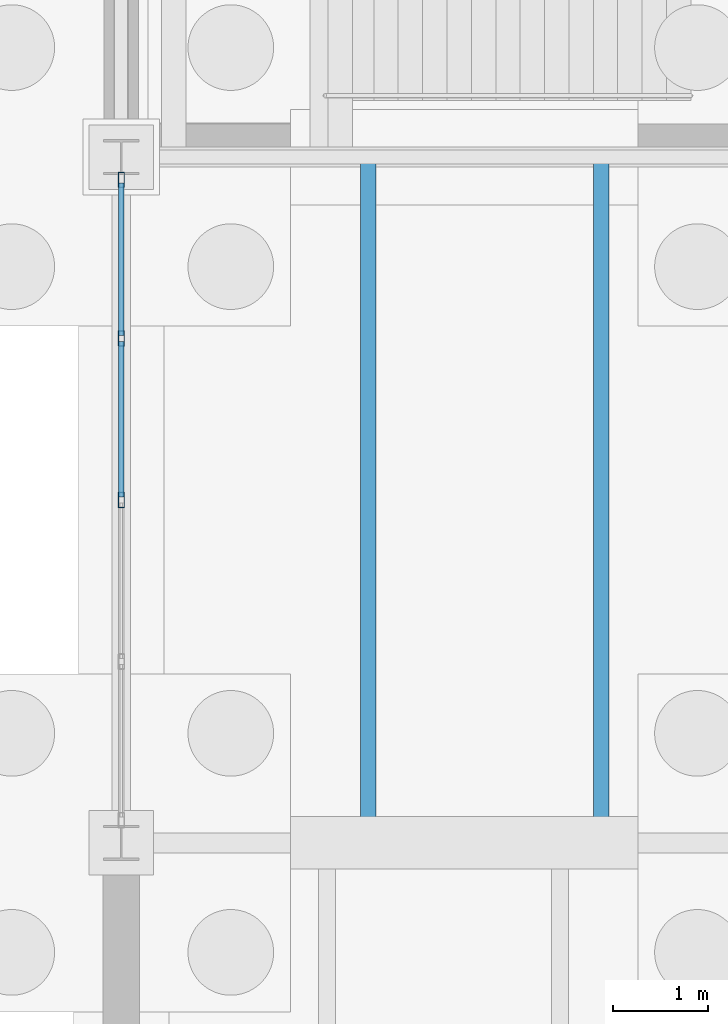
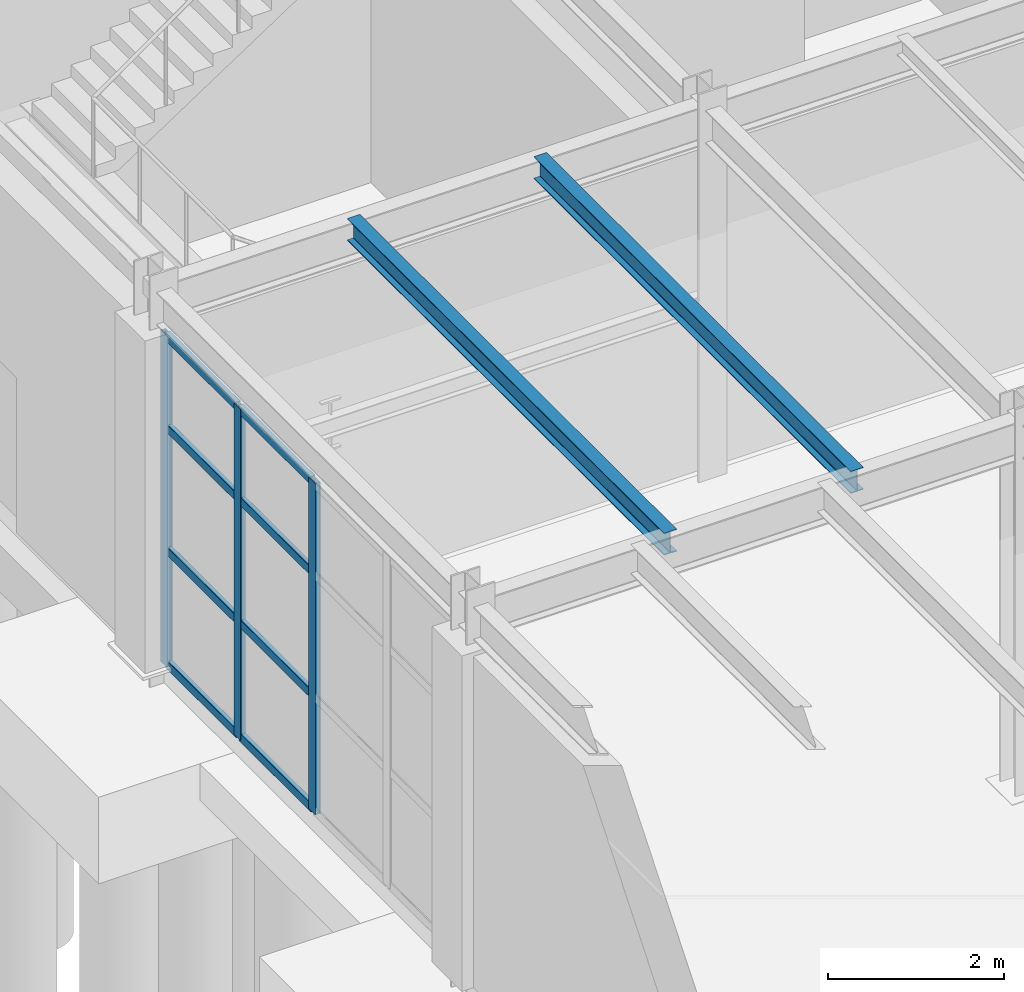
# One storey, part 59 of 293: 11 members, 2 beams, 1 element without a shape of its own.
"""IFC4 building model written with IfcOpenShell, lengths in metres."""

from ifc_helpers import new_model, si_unit, direction, frame, origin, origin_2d, place, context, subcontext, project, spatial, hollow_rectangle, i_section, extrude, material, layer, layer_set, material_profile, profile_set, type_object, element, aggregate, save


model = new_model("IFC4")

# Units and contexts
model_context = context("Model", 3, precision=1e-05, world=origin(), true_north=direction((0.0, 1.0)))
body_context = subcontext(model_context, "Body", "Model", "MODEL_VIEW")
ifc_project = project(units=[si_unit("LENGTHUNIT", "METRE"), si_unit("AREAUNIT", "SQUARE_METRE"), si_unit("VOLUMEUNIT", "CUBIC_METRE"), si_unit("PLANEANGLEUNIT", "RADIAN"), si_unit("MASSUNIT", "GRAM", prefix="KILO")], contexts=[model_context])

# Site, building, storey
site_placement = place(None, origin())
site = spatial("IfcSite", under=ifc_project, at=site_placement, CompositionType="ELEMENT")
building_placement = place(site_placement, origin())
building = spatial("IfcBuilding", under=site, at=building_placement, Name="Kemerveld Promenade Tramway Depot", CompositionType="ELEMENT")
storey_placement = place(building_placement, origin())
storey = spatial("IfcBuildingStorey", under=building, at=storey_placement, Name="L00", CompositionType="ELEMENT", Elevation=0.0)

# Beams
ifc_material_1 = material(Name="Steel S355", Category="steel")
ifc_material_profile_1 = material_profile(ifc_material_1, i_section(OverallWidth=0.165771484375, OverallDepth=0.306640625, WebThickness=0.006591796875, FlangeThickness=0.01171875, FilletRadius=0.0087890625, at=origin_2d()), Name="305x165x46 UB")
ifc_profile_set_1 = profile_set([ifc_material_profile_1], Name="Steel S355")
beam_type = type_object("IfcBeamType", Name="BM-J01", PredefinedType="JOIST", material=ifc_profile_set_1)
for number, where, z_axis, x_axis, name in (
    (1, (2.592041015625, 36.0, 4.99658203125), (0.0, 1.0, 0.0), (-1.0, 0.0, 0.0), "JST-L00-01-F-1"),
    (2, (5.0400390625, 36.0, 4.99658203125), (0.0, 1.0, 0.0), (-1.0, 0.0, 0.0), "JST-L00-01-F-2"),
):
    element("IfcBeam", number, at=place(storey_placement, frame(where, z_axis=z_axis, x_axis=x_axis)), inside=storey, type_object=beam_type, Name=name, PredefinedType="JOIST", context=body_context, shape_type="SweptSolid", body=[
        extrude(i_section(OverallWidth=0.165771484375, OverallDepth=0.306640625, WebThickness=0.006591796875, FlangeThickness=0.01171875, FilletRadius=0.0087890625, at=origin_2d()), origin(), (0.0, 0.0, 1.0), 7.199951171875),
    ])

# Curtain wall, members
ifc_material_2 = material(Name="Bronze anodised aluminium and solar glass", Category="aluminium")
ifc_layer = layer(ifc_material_2, 0.159912109375)
ifc_layer_set = layer_set([ifc_layer], Name="CW-SYS-09")
curtain_wall_type = type_object("IfcCurtainWallType", Name="CW-SYS-09", PredefinedType="USERDEFINED", material=ifc_layer_set)
curtain_wall_placement = place(storey_placement, origin())
curtain_wall = element("IfcCurtainWall", 3, at=curtain_wall_placement, inside=storey, type_object=curtain_wall_type, Name="CW-L00-V5W-06", ObjectType="GLAZED_CURTAIN_WALL", PredefinedType="USERDEFINED")
ifc_material_3 = material(Name="Bronze anodised aluminium", Category="aluminium")
ifc_material_profile_2 = material_profile(ifc_material_3, hollow_rectangle(XDim=0.06494140625, YDim=0.159912109375, WallThickness=0.00390625, InnerFilletRadius=0.001953125, OuterFilletRadius=0.00390625, at=origin_2d()), Name="CW-MUL-160x65")
ifc_profile_set_2 = profile_set([ifc_material_profile_2], Name="Bronze anodised aluminium")
member_type_1 = type_object("IfcMemberType", Name="CW-MUL-A", PredefinedType="MULLION", material=ifc_profile_set_2)
member_1_placement = place(storey_placement, frame((0.0, 39.60009765625, 0.0), z_axis=(0.0, 0.0, 1.0), x_axis=(-1.0, 0.0, 0.0)))
member_1 = element("IfcMember", 4, at=member_1_placement, type_object=member_type_1, Name="CW09 mullion 3", PredefinedType="MULLION", context=body_context, shape_type="SweptSolid", body=[
    extrude(hollow_rectangle(XDim=0.06494140625, YDim=0.159912109375, WallThickness=0.00390625, InnerFilletRadius=0.001953125, OuterFilletRadius=0.00390625, at=origin_2d()), origin(), (0.0, 0.0, 1.0), 4.593505859375),
])
member_2_placement = place(storey_placement, frame((0.0, 41.296875, 0.0), z_axis=(0.0, 0.0, 1.0), x_axis=(-1.0, 0.0, 0.0)))
member_2 = element("IfcMember", 5, at=member_2_placement, type_object=member_type_1, Name="CW09 mullion 4", PredefinedType="MULLION", context=body_context, shape_type="SweptSolid", body=[
    extrude(hollow_rectangle(XDim=0.06494140625, YDim=0.159912109375, WallThickness=0.00390625, InnerFilletRadius=0.001953125, OuterFilletRadius=0.00390625, at=origin_2d()), origin(), (0.0, 0.0, 1.0), 4.593505859375),
])
member_3_placement = place(storey_placement, frame((0.0, 42.961181640625, 0.0), z_axis=(0.0, 0.0, 1.0), x_axis=(-1.0, 0.0, 0.0)))
member_3 = element("IfcMember", 6, at=member_3_placement, type_object=member_type_1, Name="CW09 mullion 5", PredefinedType="MULLION", context=body_context, shape_type="SweptSolid", body=[
    extrude(hollow_rectangle(XDim=0.06494140625, YDim=0.159912109375, WallThickness=0.00390625, InnerFilletRadius=0.001953125, OuterFilletRadius=0.00390625, at=origin_2d()), origin(), (0.0, 0.0, 1.0), 4.593505859375),
])
ifc_material_profile_3 = material_profile(ifc_material_3, hollow_rectangle(XDim=0.06005859375, YDim=0.1201171875, WallThickness=0.00390625, InnerFilletRadius=0.001953125, OuterFilletRadius=0.00390625, at=origin_2d()), Name="CW-TRN-120x60")
ifc_profile_set_3 = profile_set([ifc_material_profile_3], Name="Bronze anodised aluminium")
member_type_2 = type_object("IfcMemberType", Name="CW-TRN-A", PredefinedType="USERDEFINED", material=ifc_profile_set_3)
member_4_placement = place(storey_placement, frame((0.0, 39.632568359375, 0.030029296875), z_axis=(0.0, 1.0, 0.0), x_axis=(-1.0, 0.0, 0.0)))
member_4 = element("IfcMember", 7, at=member_4_placement, type_object=member_type_2, Name="CW09 transom 3.1", ObjectType="TRANSOM", PredefinedType="USERDEFINED", context=body_context, shape_type="SweptSolid", body=[
    extrude(hollow_rectangle(XDim=0.06005859375, YDim=0.1201171875, WallThickness=0.00390625, InnerFilletRadius=0.001953125, OuterFilletRadius=0.00390625, at=origin_2d()), origin(), (0.0, 0.0, 1.0), 1.6318359375),
])
member_5_placement = place(storey_placement, frame((0.0, 39.632568359375, 1.60791015625), z_axis=(0.0, 1.0, 0.0), x_axis=(-1.0, 0.0, 0.0)))
member_5 = element("IfcMember", 8, at=member_5_placement, type_object=member_type_2, Name="CW09 transom 3.2", ObjectType="TRANSOM", PredefinedType="USERDEFINED", context=body_context, shape_type="SweptSolid", body=[
    extrude(hollow_rectangle(XDim=0.06005859375, YDim=0.1201171875, WallThickness=0.00390625, InnerFilletRadius=0.001953125, OuterFilletRadius=0.00390625, at=origin_2d()), origin(), (0.0, 0.0, 1.0), 1.6318359375),
])
member_6_placement = place(storey_placement, frame((0.0, 39.632568359375, 3.306884765625), z_axis=(0.0, 1.0, 0.0), x_axis=(-1.0, 0.0, 0.0)))
member_6 = element("IfcMember", 9, at=member_6_placement, type_object=member_type_2, Name="CW09 transom 3.3", ObjectType="TRANSOM", PredefinedType="USERDEFINED", context=body_context, shape_type="SweptSolid", body=[
    extrude(hollow_rectangle(XDim=0.06005859375, YDim=0.1201171875, WallThickness=0.00390625, InnerFilletRadius=0.001953125, OuterFilletRadius=0.00390625, at=origin_2d()), origin(), (0.0, 0.0, 1.0), 1.6318359375),
])
member_7_placement = place(storey_placement, frame((0.0, 39.632568359375, 4.5634765625), z_axis=(0.0, 1.0, 0.0), x_axis=(-1.0, 0.0, 0.0)))
member_7 = element("IfcMember", 10, at=member_7_placement, type_object=member_type_2, Name="CW09 transom 3.4", ObjectType="TRANSOM", PredefinedType="USERDEFINED", context=body_context, shape_type="SweptSolid", body=[
    extrude(hollow_rectangle(XDim=0.06005859375, YDim=0.1201171875, WallThickness=0.00390625, InnerFilletRadius=0.001953125, OuterFilletRadius=0.00390625, at=origin_2d()), origin(), (0.0, 0.0, 1.0), 1.6318359375),
])
member_8_placement = place(storey_placement, frame((0.0, 41.329345703125, 0.030029296875), z_axis=(0.0, 1.0, 0.0), x_axis=(-1.0, 0.0, 0.0)))
member_8 = element("IfcMember", 11, at=member_8_placement, type_object=member_type_2, Name="CW09 transom 4.1", ObjectType="TRANSOM", PredefinedType="USERDEFINED", context=body_context, shape_type="SweptSolid", body=[
    extrude(hollow_rectangle(XDim=0.06005859375, YDim=0.1201171875, WallThickness=0.00390625, InnerFilletRadius=0.001953125, OuterFilletRadius=0.00390625, at=origin_2d()), origin(), (0.0, 0.0, 1.0), 1.599365234375),
])
member_9_placement = place(storey_placement, frame((0.0, 41.329345703125, 1.60791015625), z_axis=(0.0, 1.0, 0.0), x_axis=(-1.0, 0.0, 0.0)))
member_9 = element("IfcMember", 12, at=member_9_placement, type_object=member_type_2, Name="CW09 transom 4.2", ObjectType="TRANSOM", PredefinedType="USERDEFINED", context=body_context, shape_type="SweptSolid", body=[
    extrude(hollow_rectangle(XDim=0.06005859375, YDim=0.1201171875, WallThickness=0.00390625, InnerFilletRadius=0.001953125, OuterFilletRadius=0.00390625, at=origin_2d()), origin(), (0.0, 0.0, 1.0), 1.599365234375),
])
member_10_placement = place(storey_placement, frame((0.0, 41.329345703125, 3.306884765625), z_axis=(0.0, 1.0, 0.0), x_axis=(-1.0, 0.0, 0.0)))
member_10 = element("IfcMember", 13, at=member_10_placement, type_object=member_type_2, Name="CW09 transom 4.3", ObjectType="TRANSOM", PredefinedType="USERDEFINED", context=body_context, shape_type="SweptSolid", body=[
    extrude(hollow_rectangle(XDim=0.06005859375, YDim=0.1201171875, WallThickness=0.00390625, InnerFilletRadius=0.001953125, OuterFilletRadius=0.00390625, at=origin_2d()), origin(), (0.0, 0.0, 1.0), 1.599365234375),
])
member_11_placement = place(storey_placement, frame((0.0, 41.329345703125, 4.5634765625), z_axis=(0.0, 1.0, 0.0), x_axis=(-1.0, 0.0, 0.0)))
member_11 = element("IfcMember", 14, at=member_11_placement, type_object=member_type_2, Name="CW09 transom 4.4", ObjectType="TRANSOM", PredefinedType="USERDEFINED", context=body_context, shape_type="SweptSolid", body=[
    extrude(hollow_rectangle(XDim=0.06005859375, YDim=0.1201171875, WallThickness=0.00390625, InnerFilletRadius=0.001953125, OuterFilletRadius=0.00390625, at=origin_2d()), origin(), (0.0, 0.0, 1.0), 1.599365234375),
])
aggregate(curtain_wall, [member_1, member_2, member_3, member_4, member_5, member_6, member_7, member_8, member_9, member_10, member_11])

save(model, "model.ifc")
